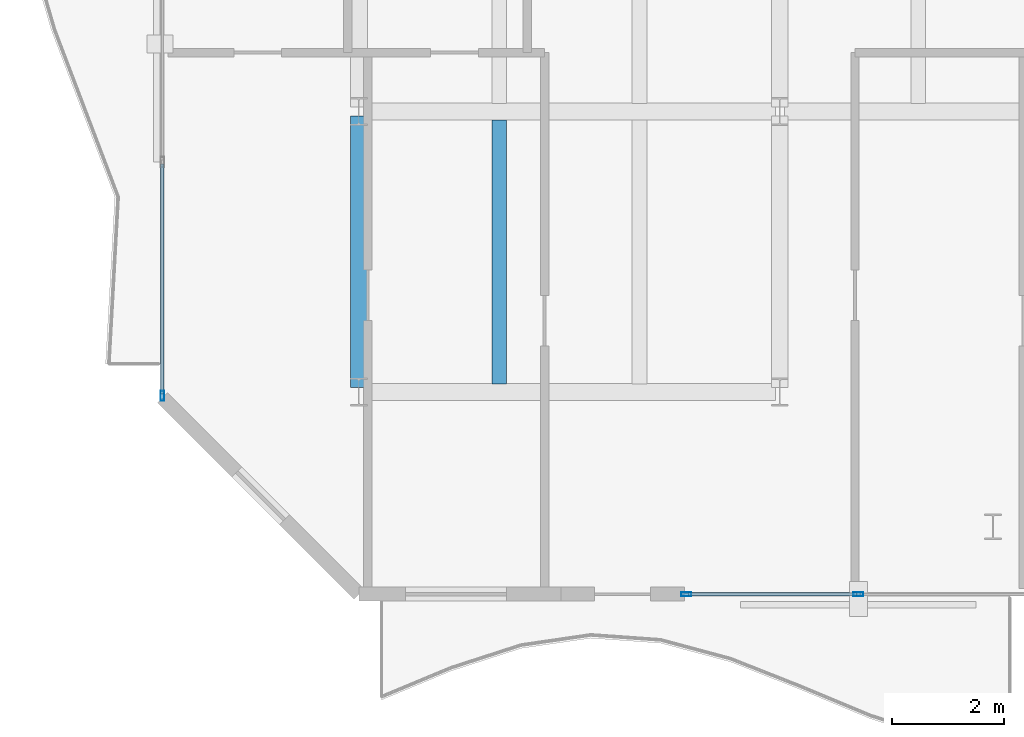
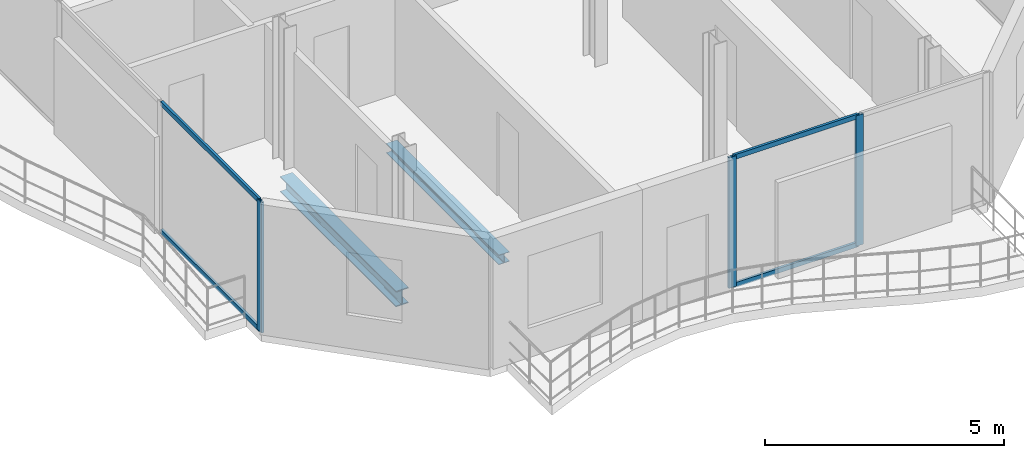
# One storey, part 3 of 23: 7 members, 2 beams, 2 elements without a shape of their own.
"""IFC4 building model written with IfcOpenShell, lengths in metres."""

from ifc_helpers import new_model, si_unit, direction, frame, origin, origin_2d, place, context, subcontext, project, spatial, hollow_rectangle, i_section, extrude, material, layer, layer_set, material_profile, profile_set, type_object, element, aggregate, save


model = new_model("IFC4")

# Units and contexts
model_context = context("Model", 3, precision=1e-05, world=origin(), true_north=direction((0.0, 1.0)))
body_context = subcontext(model_context, "Body", "Model", "MODEL_VIEW")
ifc_project = project(units=[si_unit("LENGTHUNIT", "METRE"), si_unit("AREAUNIT", "SQUARE_METRE"), si_unit("VOLUMEUNIT", "CUBIC_METRE"), si_unit("PLANEANGLEUNIT", "RADIAN"), si_unit("MASSUNIT", "GRAM", prefix="KILO")], contexts=[model_context])

# Site, building, storey
site_placement = place(None, origin())
site = spatial("IfcSite", under=ifc_project, at=site_placement, CompositionType="ELEMENT")
building_placement = place(site_placement, origin())
building = spatial("IfcBuilding", under=site, at=building_placement, Name="Catumbela Crestline Tower", CompositionType="ELEMENT")
storey_placement = place(building_placement, frame((0.0, 0.0, 197.4)))
storey = spatial("IfcBuildingStorey", under=building, at=storey_placement, Name="L51", CompositionType="ELEMENT", Elevation=197.4)

# Beams
ifc_material_1 = material(Name="Structural steel S355J2", Category="steel")
ifc_material_profile_1 = material_profile(ifc_material_1, i_section(OverallWidth=0.3, OverallDepth=0.4, WebThickness=0.0135, FlangeThickness=0.024, FilletRadius=0.027, at=origin_2d()), Name="HEB 400")
ifc_profile_set_1 = profile_set([ifc_material_profile_1], Name="Structural steel S355J2")
beam_type_1 = type_object("IfcBeamType", Name="BG-HEB400", PredefinedType="BEAM", material=ifc_profile_set_1)
beam_1_placement = place(storey_placement, frame((8.5, 8.68, -0.46), z_axis=(0.0, 1.0, 0.0), x_axis=(-1.0, 0.0, 0.0)))
element("IfcBeam", 1, at=beam_1_placement, inside=storey, type_object=beam_type_1, Name="L51 Beam BM-L51-WNS37", PredefinedType="BEAM", context=body_context, shape_type="SweptSolid", body=[
    extrude(i_section(OverallWidth=0.3, OverallDepth=0.4, WebThickness=0.0135, FlangeThickness=0.024, FilletRadius=0.027, at=origin_2d()), origin(), (0.0, 0.0, 1.0), 4.84),
])
ifc_material_profile_2 = material_profile(ifc_material_1, i_section(OverallWidth=0.26, OverallDepth=0.25, WebThickness=0.0075, FlangeThickness=0.0125, FilletRadius=0.024, at=origin_2d()), Name="HEA 260")
ifc_profile_set_2 = profile_set([ifc_material_profile_2], Name="Structural steel S355J2")
beam_type_2 = type_object("IfcBeamType", Name="BJ-HEA260", PredefinedType="JOIST", material=ifc_profile_set_2)
beam_2_placement = place(storey_placement, frame((11.0, 8.747, -0.385), z_axis=(0.0, 1.0, 0.0), x_axis=(-1.0, 0.0, 0.0)))
element("IfcBeam", 2, at=beam_2_placement, inside=storey, type_object=beam_type_2, Name="L51 Joist JS-L51-WG44", PredefinedType="JOIST", context=body_context, shape_type="SweptSolid", body=[
    extrude(i_section(OverallWidth=0.26, OverallDepth=0.25, WebThickness=0.0075, FlangeThickness=0.0125, FilletRadius=0.024, at=origin_2d()), origin(), (0.0, 0.0, 1.0), 4.706),
])

# Curtain wall, members
ifc_material_2 = material(Name="Aluminium alloy AW-6060-T66", Category="aluminium")
ifc_layer = layer(ifc_material_2, 0.18, Name="Aluminium alloy AW-6060-T66")
ifc_layer_set = layer_set([ifc_layer], Name="Aluminium alloy AW-6060-T66")
curtain_wall_type = type_object("IfcCurtainWallType", Name="CWU-Z3", PredefinedType="USERDEFINED", material=ifc_layer_set)
curtain_wall_1_placement = place(storey_placement, origin())
curtain_wall_1 = element("IfcCurtainWall", 3, at=curtain_wall_1_placement, inside=storey, type_object=curtain_wall_type, Name="L51 Unitised Curtain Wall CW-L51-E0S2", ObjectType="UNITISED", PredefinedType="USERDEFINED")
ifc_material_profile_3 = material_profile(ifc_material_2, hollow_rectangle(XDim=0.065, YDim=0.18, WallThickness=0.004, at=origin_2d()), Name="ALU 180x65x4")
ifc_profile_set_3 = profile_set([ifc_material_profile_3], Name="Aluminium alloy AW-6060-T66")
member_type_1 = type_object("IfcMemberType", Name="MUL-180X65", PredefinedType="MULLION", material=ifc_profile_set_3)
member_1_placement = place(storey_placement, frame((14.3325, 5.0, 0.0), z_axis=(0.0, 0.0, 1.0), x_axis=(0.0, 1.0, 0.0)))
member_1 = element("IfcMember", 4, at=member_1_placement, type_object=member_type_1, Name="CWU-Z3 mullion 1", PredefinedType="MULLION", context=body_context, shape_type="SweptSolid", body=[
    extrude(hollow_rectangle(XDim=0.065, YDim=0.18, WallThickness=0.004, at=origin_2d()), origin(), (0.0, 0.0, 1.0), 3.33),
])
member_2_placement = place(storey_placement, frame((17.4, 5.0, 0.0), z_axis=(0.0, 0.0, 1.0), x_axis=(0.0, 1.0, 0.0)))
member_2 = element("IfcMember", 5, at=member_2_placement, type_object=member_type_1, Name="CWU-Z3 mullion 2", PredefinedType="MULLION", context=body_context, shape_type="SweptSolid", body=[
    extrude(hollow_rectangle(XDim=0.065, YDim=0.18, WallThickness=0.004, at=origin_2d()), origin(), (0.0, 0.0, 1.0), 3.33),
])

# Curtain wall, member
curtain_wall_2_placement = place(storey_placement, origin())
curtain_wall_2 = element("IfcCurtainWall", 6, at=curtain_wall_2_placement, inside=storey, type_object=curtain_wall_type, Name="L51 Unitised Curtain Wall CW-L51-E9S2", ObjectType="UNITISED", PredefinedType="USERDEFINED")
member_3_placement = place(storey_placement, frame((5.0, 8.5325, 0.0), z_axis=(0.0, 0.0, 1.0), x_axis=(1.0, 0.0, 0.0)))
member_3 = element("IfcMember", 7, at=member_3_placement, type_object=member_type_1, Name="CWU-Z3 mullion 7", PredefinedType="MULLION", context=body_context, shape_type="SweptSolid", body=[
    extrude(hollow_rectangle(XDim=0.065, YDim=0.18, WallThickness=0.004, at=origin_2d()), origin(), (0.0, 0.0, 1.0), 3.33),
])

# Member
ifc_material_profile_4 = material_profile(ifc_material_2, hollow_rectangle(XDim=0.06, YDim=0.12, WallThickness=0.0035, at=origin_2d()), Name="ALU 120x60x3.5")
ifc_profile_set_4 = profile_set([ifc_material_profile_4], Name="Aluminium alloy AW-6060-T66")
member_type_2 = type_object("IfcMemberType", Name="TRN-120X60", PredefinedType="USERDEFINED", material=ifc_profile_set_4)
member_4_placement = place(storey_placement, frame((14.365, 5.0, 0.03), z_axis=(1.0, 0.0, 0.0), x_axis=(0.0, 1.0, 0.0)))
member_4 = element("IfcMember", 8, at=member_4_placement, type_object=member_type_2, Name="CWU-Z3 transom 1.1", ObjectType="TRANSOM", PredefinedType="USERDEFINED", context=body_context, shape_type="SweptSolid", body=[
    extrude(hollow_rectangle(XDim=0.06, YDim=0.12, WallThickness=0.0035, at=origin_2d()), origin(), (0.0, 0.0, 1.0), 3.0025),
])

member_5_placement = place(storey_placement, frame((14.365, 5.0, 3.3), z_axis=(1.0, 0.0, 0.0), x_axis=(0.0, 1.0, 0.0)))
member_5 = element("IfcMember", 9, at=member_5_placement, type_object=member_type_2, Name="CWU-Z3 transom 1.2", ObjectType="TRANSOM", PredefinedType="USERDEFINED", context=body_context, shape_type="SweptSolid", body=[
    extrude(hollow_rectangle(XDim=0.06, YDim=0.12, WallThickness=0.0035, at=origin_2d()), origin(), (0.0, 0.0, 1.0), 3.0025),
])

aggregate(curtain_wall_1, [member_1, member_2, member_4, member_5])

member_6_placement = place(storey_placement, frame((5.0, 12.6675, 0.03), z_axis=(0.0, -1.0, 0.0), x_axis=(1.0, 0.0, 0.0)))
member_6 = element("IfcMember", 10, at=member_6_placement, type_object=member_type_2, Name="CWU-Z3 transom 6.1", ObjectType="TRANSOM", PredefinedType="USERDEFINED", context=body_context, shape_type="SweptSolid", body=[
    extrude(hollow_rectangle(XDim=0.06, YDim=0.12, WallThickness=0.0035, at=origin_2d()), origin(), (0.0, 0.0, 1.0), 4.1025),
])

member_7_placement = place(storey_placement, frame((5.0, 12.6675, 3.3), z_axis=(0.0, -1.0, 0.0), x_axis=(1.0, 0.0, 0.0)))
member_7 = element("IfcMember", 11, at=member_7_placement, type_object=member_type_2, Name="CWU-Z3 transom 6.2", ObjectType="TRANSOM", PredefinedType="USERDEFINED", context=body_context, shape_type="SweptSolid", body=[
    extrude(hollow_rectangle(XDim=0.06, YDim=0.12, WallThickness=0.0035, at=origin_2d()), origin(), (0.0, 0.0, 1.0), 4.1025),
])

aggregate(curtain_wall_2, [member_3, member_6, member_7])

save(model, "model.ifc")
